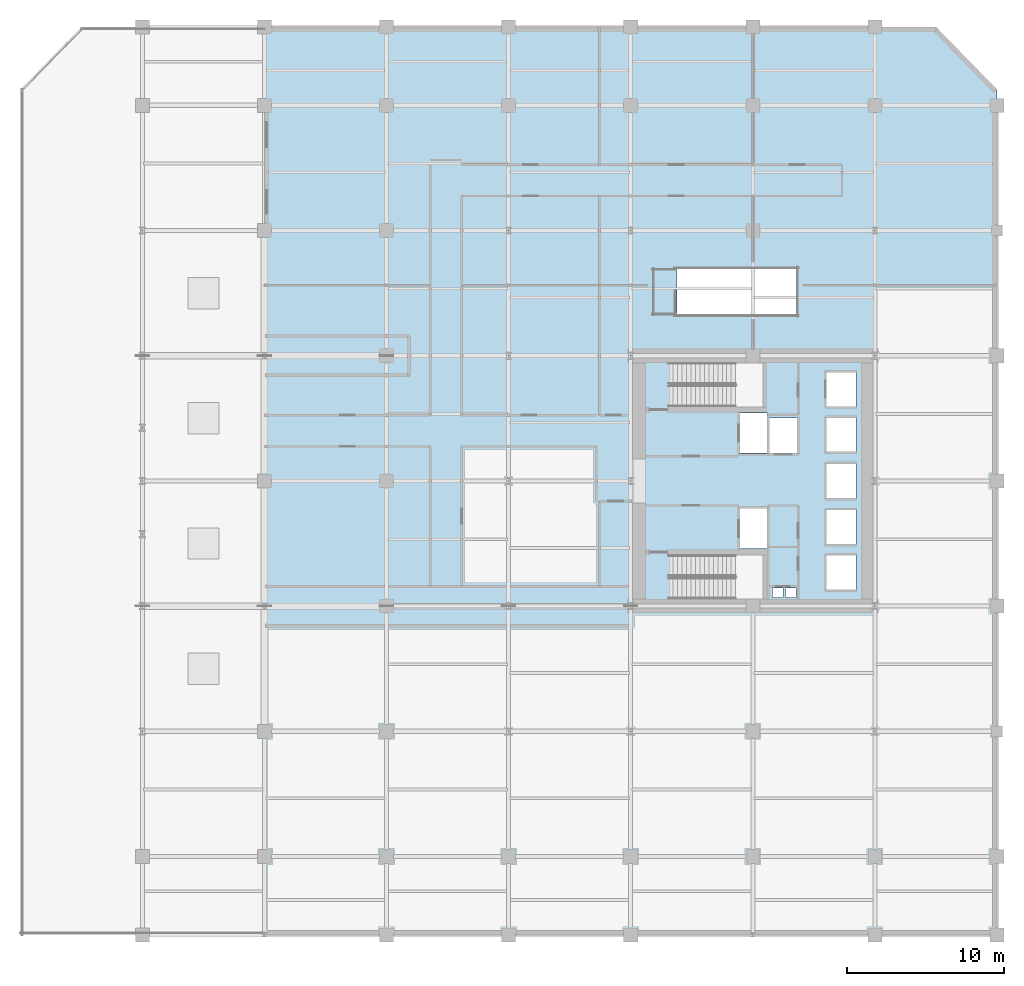
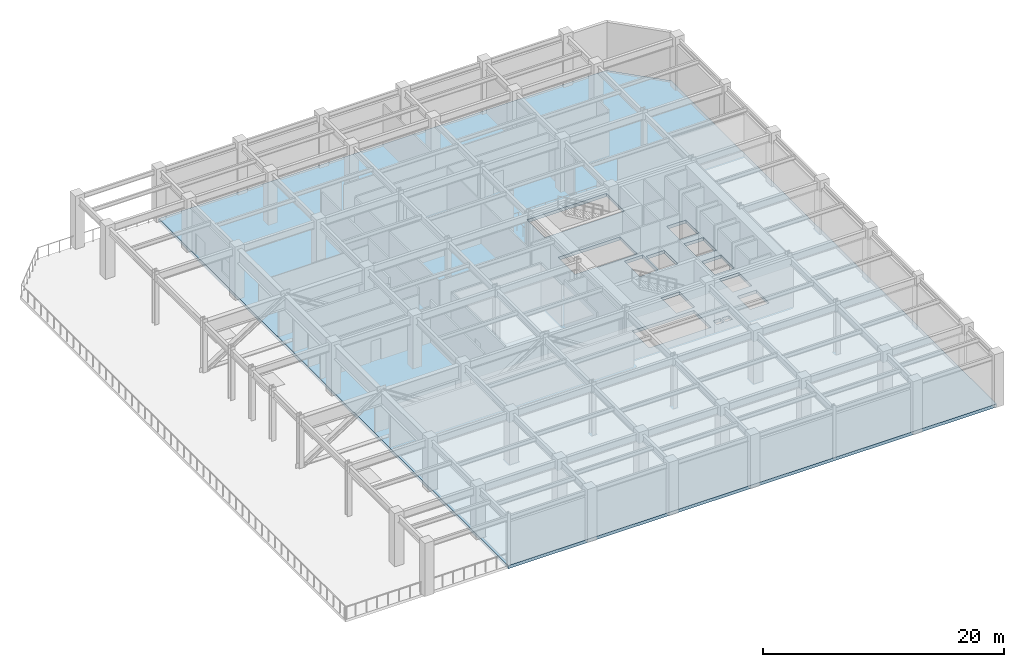
# One storey, part 7 of 14: 1 slab.
"""IFC4 building model written with IfcOpenShell, lengths in metres."""

import ifcopenshell
import ifcopenshell.guid

model = None  # the IFC model being written
_history = None  # IfcOwnerHistory: only IFC2X3 demands one
_inside = {}  # id of a spatial element -> (the spatial element, [elements in it])
_under = {}  # id of a project, library or spatial element -> (it, [spatial elements below it])
_declared = {}  # id of a project -> (the project, [libraries it declares])
_typed = {}  # id of a type object -> (the type object, [elements of that type])
_made_of = {}  # id of a material, layer set ... -> (it, [elements and type objects made of it])


def new_model(schema):
    """Start an empty IFC model of exactly this schema.

    Asked for "IFC4X3", IfcOpenShell would pick the latest addendum, in which some entities
    have other attributes; the version numbers below select the first issue.
    IFC2X3 requires an IfcOwnerHistory on every rooted entity: one is made here for all.
    """
    global model, _history
    if schema == "IFC4X3":
        model = ifcopenshell.file(schema_version=(4, 3, 0, 0))
    else:
        model = ifcopenshell.file(schema=schema)
    _inside.clear()
    _under.clear()
    _declared.clear()
    _typed.clear()
    _made_of.clear()
    _history = None
    if model.schema == "IFC2X3":
        org = make("IfcOrganization", Name="unknown")
        user = make(
            "IfcPersonAndOrganization",
            ThePerson=make("IfcPerson", FamilyName="unknown"),
            TheOrganization=org,
        )
        app = make(
            "IfcApplication",
            ApplicationDeveloper=org,
            Version="unknown",
            ApplicationFullName="unknown",
            ApplicationIdentifier="unknown",
        )
        _history = make(
            "IfcOwnerHistory",
            OwningUser=user,
            OwningApplication=app,
            ChangeAction="ADDED",
            CreationDate=0,
        )
    return model


def make(cls, **values):
    """One entity of the class cls with the attributes given. An attribute that is None is left unset."""
    return model.create_entity(
        cls, **{name: value for name, value in values.items() if value is not None}
    )


def rooted(cls, **values):
    """An entity with a GlobalId (a new one), such as an element, a storey or a relation."""
    return make(cls, GlobalId=ifcopenshell.guid.new(), OwnerHistory=_history, **values)


def si_unit(unit_type, name, prefix=None):
    """IfcSIUnit, for example si_unit("LENGTHUNIT", "METRE", prefix="MILLI")."""
    return make("IfcSIUnit", UnitType=unit_type, Prefix=prefix, Name=name)


def assignment(units):
    """IfcUnitAssignment: the units of a project."""
    return None if units is None else make("IfcUnitAssignment", Units=units)


def point(xyz):
    """IfcCartesianPoint."""
    return None if xyz is None else make("IfcCartesianPoint", Coordinates=xyz)


def direction(xyz):
    """IfcDirection."""
    return None if xyz is None else make("IfcDirection", DirectionRatios=xyz)


def frame(location, z_axis=None, x_axis=None):
    """IfcAxis2Placement3D, a coordinate frame: its origin and axes. An axis left out is left unset."""
    return make(
        "IfcAxis2Placement3D",
        Location=point(location),
        Axis=direction(z_axis),
        RefDirection=direction(x_axis),
    )


def origin():
    """The frame at (0, 0, 0) with its axes left unset."""
    return frame((0.0, 0.0, 0.0))


def place(relative_to, where):
    """IfcLocalPlacement: puts the frame where relative to a parent placement (None: the world)."""
    return make(
        "IfcLocalPlacement", PlacementRelTo=relative_to, RelativePlacement=where
    )


def context(
    kind, dimensions, precision=None, world=None, true_north=None, identifier=None
):
    """IfcGeometricRepresentationContext, for example the 3D "Model" context."""
    return make(
        "IfcGeometricRepresentationContext",
        ContextIdentifier=identifier,
        ContextType=kind,
        CoordinateSpaceDimension=dimensions,
        Precision=precision,
        WorldCoordinateSystem=world,
        TrueNorth=true_north,
    )


def subcontext(parent, identifier, kind, view, scale=None):
    """IfcGeometricRepresentationSubContext, for example "Body" below "Model"."""
    return make(
        "IfcGeometricRepresentationSubContext",
        ContextIdentifier=identifier,
        ContextType=kind,
        ParentContext=parent,
        TargetScale=scale,
        TargetView=view,
    )


def project(units=None, contexts=None):
    """IfcProject with its units and contexts."""
    return rooted(
        "IfcProject",
        Name="project",
        RepresentationContexts=contexts,
        UnitsInContext=assignment(units),
    )


def spatial(cls, under=None, at=None, **own):
    """A site, building, storey or space (cls), placed at a placement, below another one or the project."""
    s = rooted(cls, ObjectPlacement=at, **own)
    if under is not None:
        _under.setdefault(under.id(), (under, []))[1].append(s)
    return s


def polyline(points):
    """IfcPolyline through the points."""
    return make("IfcPolyline", Points=[point(p) for p in points])


def outline(outer, holes=None, kind="AREA"):
    """IfcArbitraryClosedProfileDef: a profile drawn as a closed curve; with holes, ...WithVoids."""
    if holes is None:
        return make("IfcArbitraryClosedProfileDef", ProfileType=kind, OuterCurve=outer)
    return make(
        "IfcArbitraryProfileDefWithVoids",
        ProfileType=kind,
        OuterCurve=outer,
        InnerCurves=holes,
    )


def extrude(swept, where, along, depth):
    """IfcExtrudedAreaSolid: the profile swept, set in the frame where, extruded along a direction by depth."""
    return make(
        "IfcExtrudedAreaSolid",
        SweptArea=swept,
        Position=where,
        ExtrudedDirection=direction(along),
        Depth=depth,
    )


def shape(context_of_items, identifier, shape_type, items):
    """IfcShapeRepresentation: the items that make up one representation, for example the "Body"."""
    return make(
        "IfcShapeRepresentation",
        ContextOfItems=context_of_items,
        RepresentationIdentifier=identifier,
        RepresentationType=shape_type,
        Items=items,
    )


def material(Name=None, Category=None):
    """IfcMaterial."""
    return make("IfcMaterial", Name=Name, Category=Category)


def layer(
    of_material, thickness, ventilated=None, Name=None, Category=None, Priority=None
):
    """IfcMaterialLayer: one layer of a wall or slab, of a material (None: an air gap)."""
    return make(
        "IfcMaterialLayer",
        Material=of_material,
        LayerThickness=thickness,
        IsVentilated=ventilated,
        Name=Name,
        Category=Category,
        Priority=Priority,
    )


def layer_set(layers, Name=None):
    """IfcMaterialLayerSet."""
    return make("IfcMaterialLayerSet", MaterialLayers=layers, LayerSetName=Name)


def made_of(thing, what):
    """Note that an element or type object is made of a material, layer set ...; save() writes the relation."""
    if what is not None:
        _made_of.setdefault(what.id(), (what, []))[1].append(thing)
    return thing


def type_object(cls, material=None, **own):
    """A type object (cls), such as IfcWallType, which elements share."""
    return made_of(rooted(cls, **own), material)


def element(
    cls,
    number,
    at=None,
    inside=None,
    cuts=None,
    type_object=None,
    material=None,
    context=None,
    identifier="Body",
    shape_type=None,
    held_by="IfcProductDefinitionShape",
    body=None,
    shapes=None,
    **own,
):
    """One element of the class cls, such as IfcWall. Its Tag is "e" and its number.

    at: its placement. inside: the storey or other place that contains it. cuts: it is an
    opening in that element (IfcRelVoidsElement). A single representation is given by context,
    identifier, shape_type and body (its items); several are given by shapes. held_by: the class
    of the entity that holds the representations. save() writes the other relations.
    """
    e = rooted(cls, Tag="e%d" % number, ObjectPlacement=at, **own)
    if body is not None:
        shapes = [shape(context, identifier, shape_type, body)]
    if shapes is not None:
        e.Representation = make(held_by, Representations=shapes)
    if inside is not None:
        _inside.setdefault(inside.id(), (inside, []))[1].append(e)
    if cuts is not None:
        rooted(
            "IfcRelVoidsElement", RelatingBuildingElement=cuts, RelatedOpeningElement=e
        )
    if type_object is not None:
        _typed.setdefault(type_object.id(), (type_object, []))[1].append(e)
    return made_of(e, material)


def aggregate(whole, parts):
    """IfcRelAggregates: a whole, such as a stair, and the parts it consists of."""
    return rooted("IfcRelAggregates", RelatingObject=whole, RelatedObjects=parts)


def save(model, path):
    """Write the relations noted so far, then the file.

    IfcRelAggregates (storeys below a building ...), IfcRelContainedInSpatialStructure (elements
    in a storey), IfcRelDefinesByType, IfcRelAssociatesMaterial and IfcRelDeclares: one each for
    every whole, place, type object, material and project.
    """
    for whole, parts in _under.values():
        aggregate(whole, parts)
    for where, things in _inside.values():
        rooted(
            "IfcRelContainedInSpatialStructure",
            RelatedElements=things,
            RelatingStructure=where,
        )
    for kind, things in _typed.values():
        rooted("IfcRelDefinesByType", RelatedObjects=things, RelatingType=kind)
    for what, things in _made_of.values():
        rooted("IfcRelAssociatesMaterial", RelatedObjects=things, RelatingMaterial=what)
    for by, libraries in _declared.values():
        rooted("IfcRelDeclares", RelatingContext=by, RelatedDefinitions=libraries)
    model.write(path)


model = new_model("IFC4")

# Units and contexts
model_context = context("Model", 3, precision=1e-05, world=origin(), true_north=direction((0.0, 1.0)))
body_context = subcontext(model_context, "Body", "Model", "MODEL_VIEW")
ifc_project = project(units=[si_unit("LENGTHUNIT", "METRE"), si_unit("AREAUNIT", "SQUARE_METRE"), si_unit("VOLUMEUNIT", "CUBIC_METRE"), si_unit("PLANEANGLEUNIT", "RADIAN"), si_unit("MASSUNIT", "GRAM", prefix="KILO")], contexts=[model_context])

# Site, building, storey
site_placement = place(None, origin())
site = spatial("IfcSite", under=ifc_project, at=site_placement, CompositionType="ELEMENT")
building_placement = place(site_placement, origin())
building = spatial("IfcBuilding", under=site, at=building_placement, Name="Veymaron Broadcast Tower", CompositionType="ELEMENT")
storey_placement = place(building_placement, frame((0.0, 0.0, 27.0)))
storey = spatial("IfcBuildingStorey", under=building, at=storey_placement, Name="L05", CompositionType="ELEMENT", Elevation=27.0)

# Slab
ifc_material = material(Name="Concrete C40/50", Category="concrete")
ifc_layer = layer(ifc_material, 0.320068359375)
ifc_layer_set = layer_set([ifc_layer], Name="Concrete C40/50")
slab_type = type_object("IfcSlabType", Name="SLAB-FS2", PredefinedType="FLOOR", material=ifc_layer_set)
slab_placement = place(storey_placement, frame((0.0, 0.0, -0.320068359375)))
element("IfcSlab", 1, at=slab_placement, inside=storey, type_object=slab_type, Name="L05 structural floor slab", PredefinedType="FLOOR", context=body_context, shape_type="SweptSolid", body=[
    extrude(outline(polyline([(15.60009765625, 53.0), (15.60009765625, -5.0), (62.39990234375, -5.0), (62.39990234375, 49.0), (58.5, 53.0), (15.60009765625, 53.0)]), holes=[polyline([(45.969970703125, 28.330078125), (47.72998046875, 28.330078125), (47.72998046875, 25.77001953125), (45.969970703125, 25.77001953125), (45.969970703125, 28.330078125)]), polyline([(45.969970703125, 22.22998046875), (47.72998046875, 22.22998046875), (47.72998046875, 19.669921875), (45.969970703125, 19.669921875), (45.969970703125, 22.22998046875)]), polyline([(47.8701171875, 28.030029296875), (49.6298828125, 28.030029296875), (49.6298828125, 25.77001953125), (47.8701171875, 25.77001953125), (47.8701171875, 28.030029296875)]), polyline([(51.52001953125, 30.929931640625), (53.3798828125, 30.929931640625), (53.3798828125, 28.77001953125), (51.52001953125, 28.77001953125), (51.52001953125, 30.929931640625)]), polyline([(51.52001953125, 28.030029296875), (53.3798828125, 28.030029296875), (53.3798828125, 25.8701171875), (51.52001953125, 25.8701171875), (51.52001953125, 28.030029296875)]), polyline([(51.52001953125, 22.1298828125), (53.3798828125, 22.1298828125), (53.3798828125, 19.969970703125), (51.52001953125, 19.969970703125), (51.52001953125, 22.1298828125)]), polyline([(51.52001953125, 25.080078125), (53.3798828125, 25.080078125), (53.3798828125, 22.919921875), (51.52001953125, 22.919921875), (51.52001953125, 25.080078125)]), polyline([(51.52001953125, 19.22998046875), (53.3798828125, 19.22998046875), (53.3798828125, 17.070068359375), (51.52001953125, 17.070068359375), (51.52001953125, 19.22998046875)]), polyline([(48.050048828125, 17.159912109375), (48.719970703125, 17.159912109375), (48.719970703125, 16.56005859375), (48.050048828125, 16.56005859375), (48.050048828125, 17.159912109375)]), polyline([(48.8798828125, 17.159912109375), (49.550048828125, 17.159912109375), (49.550048828125, 16.56005859375), (48.8798828125, 16.56005859375), (48.8798828125, 17.159912109375)]), polyline([(41.489990234375, 31.550048828125), (47.43994140625, 31.550048828125), (47.43994140625, 28.72998046875), (41.489990234375, 28.72998046875), (41.489990234375, 31.550048828125)]), polyline([(41.489990234375, 19.27001953125), (47.43994140625, 19.27001953125), (47.43994140625, 16.449951171875), (41.489990234375, 16.449951171875), (41.489990234375, 19.27001953125)]), polyline([(41.9599609375, 37.56005859375), (49.60009765625, 37.56005859375), (49.60009765625, 34.60009765625), (41.9599609375, 34.60009765625), (41.9599609375, 37.56005859375)])]), origin(), (0.0, 0.0, 1.0), 0.320068359375),
])

save(model, "model.ifc")
